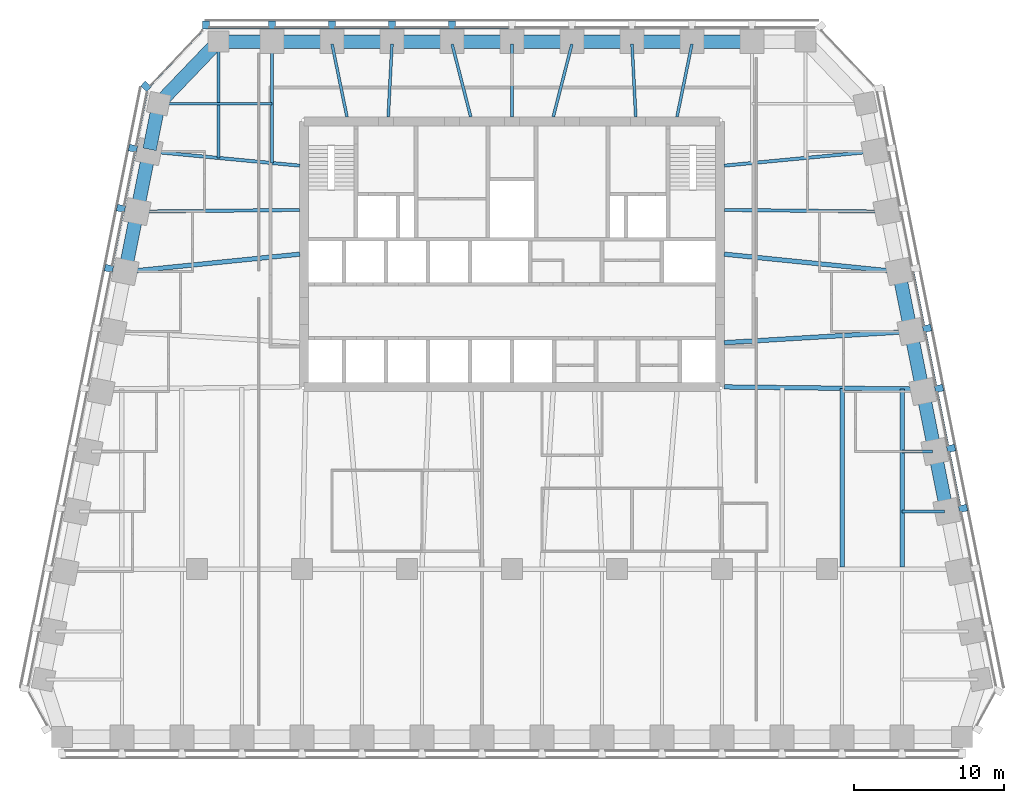
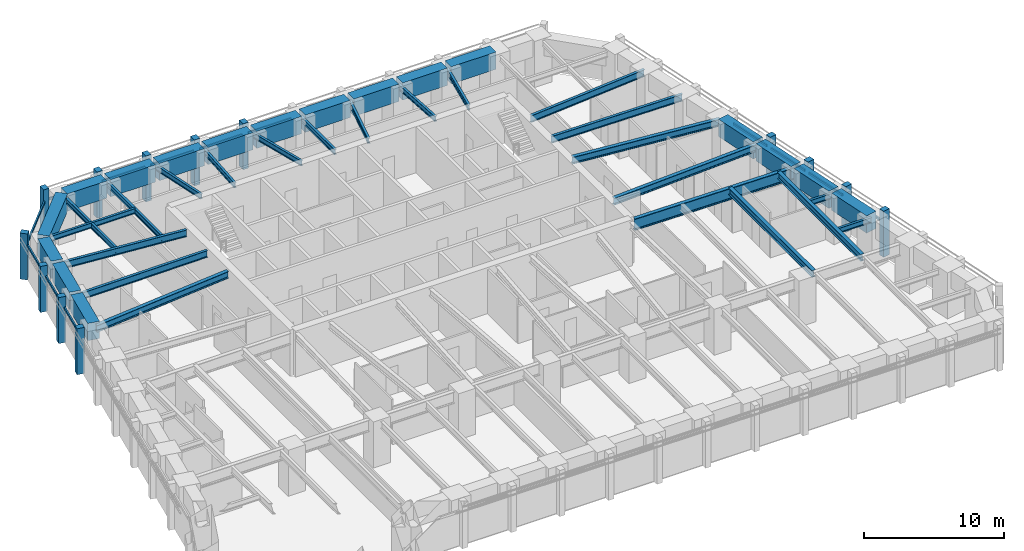
# One storey, part 3 of 10: 39 beams, 26 members, 4 elements without a shape of their own.
"""IFC4 building model written with IfcOpenShell, lengths in metres."""

from ifc_helpers import new_model, si_unit, direction, frame, origin, origin_2d, place, context, subcontext, project, spatial, rectangle, i_section, extrude, material, material_profile, profile_set, type_object, element, aggregate, save


model = new_model("IFC4")

# Units and contexts
model_context = context("Model", 3, precision=1e-05, world=origin(), true_north=direction((0.0, 1.0)))
body_context = subcontext(model_context, "Body", "Model", "MODEL_VIEW")
ifc_project = project(units=[si_unit("LENGTHUNIT", "METRE"), si_unit("AREAUNIT", "SQUARE_METRE"), si_unit("VOLUMEUNIT", "CUBIC_METRE"), si_unit("PLANEANGLEUNIT", "RADIAN"), si_unit("MASSUNIT", "GRAM", prefix="KILO")], contexts=[model_context])

# Site, building, storey
site_placement = place(None, origin())
site = spatial("IfcSite", under=ifc_project, at=site_placement, CompositionType="ELEMENT")
building_placement = place(site_placement, origin())
building = spatial("IfcBuilding", under=site, at=building_placement, Name="Isbrekke Arena Tower", CompositionType="ELEMENT")
storey_placement = place(building_placement, frame((0.0, 0.0, 190.0)))
storey = spatial("IfcBuildingStorey", under=building, at=storey_placement, Name="L43", CompositionType="ELEMENT", Elevation=190.0)

# Beams
ifc_material_1 = material(Name="Steel S355", Category="steel")
ifc_material_profile_1 = material_profile(ifc_material_1, i_section(OverallWidth=0.219970703125, OverallDepth=0.60009765625, WebThickness=0.011962890625, FlangeThickness=0.01904296875, FilletRadius=0.02392578125, at=origin_2d()), Name="IPE 600")
ifc_profile_set_1 = profile_set([ifc_material_profile_1], Name="Steel S355")
beam_type_1 = type_object("IfcBeamType", Name="B1 IPE 600", PredefinedType="BEAM", material=ifc_profile_set_1)
beam_1_placement = place(storey_placement, frame((24.83984375, 17.838134765625, 3.550048828125), z_axis=(-0.999945299061, 0.010459392202, 0.0), x_axis=(-0.010459392202, -0.999945299061, 0.0)))
element("IfcBeam", 1, at=beam_1_placement, inside=storey, type_object=beam_type_1, Name="B1 beam E-E09 L43", PredefinedType="BEAM", context=body_context, shape_type="SweptSolid", body=[
    extrude(i_section(OverallWidth=0.219970703125, OverallDepth=0.60009765625, WebThickness=0.011962890625, FlangeThickness=0.01904296875, FilletRadius=0.02392578125, at=origin_2d()), origin(), (0.0, 0.0, 1.0), 10.6904296875),
])
for number, where, z_axis, x_axis, name in (
    (2, (24.03076171875, 21.837158203125, 3.550048828125), (-0.99553133081, -0.094431823952, 0.0), (0.094431823952, -0.99553133081, 0.0), "B1 beam E-E10 L43"),
    (3, (-24.03076171875, 21.837158203125, 3.550048828125), (0.99553133081, -0.094431823952, 0.0), (0.094431823952, 0.99553133081, 0.0), "B1 beam E-W02 L43"),
):
    element("IfcBeam", number, at=place(storey_placement, frame(where, z_axis=z_axis, x_axis=x_axis)), inside=storey, type_object=beam_type_1, Name=name, PredefinedType="BEAM", context=body_context, shape_type="SweptSolid", body=[
        extrude(i_section(OverallWidth=0.219970703125, OverallDepth=0.60009765625, WebThickness=0.011962890625, FlangeThickness=0.01904296875, FilletRadius=0.02392578125, at=origin_2d()), origin(), (0.0, 0.0, 1.0), 9.92529296875),
    ])
beam_2_placement = place(storey_placement, frame((-24.83984375, 17.838134765625, 3.550048828125), z_axis=(0.999945299061, 0.010459392202, 0.0), x_axis=(-0.010459392202, 0.999945299061, 0.0)))
element("IfcBeam", 4, at=beam_2_placement, inside=storey, type_object=beam_type_1, Name="B1 beam E-W03 L43", PredefinedType="BEAM", context=body_context, shape_type="SweptSolid", body=[
    extrude(i_section(OverallWidth=0.219970703125, OverallDepth=0.60009765625, WebThickness=0.011962890625, FlangeThickness=0.01904296875, FilletRadius=0.02392578125, at=origin_2d()), origin(), (0.0, 0.0, 1.0), 10.6904296875),
])
ifc_material_2 = material(Name="Steel S355", Category="steel")
ifc_material_profile_2 = material_profile(ifc_material_2, i_section(OverallWidth=0.18994140625, OverallDepth=0.449951171875, WebThickness=0.009521484375, FlangeThickness=0.0146484375, FilletRadius=0.02099609375, at=origin_2d()), Name="IPE 450")
ifc_profile_set_2 = profile_set([ifc_material_profile_2], Name="Steel S355")
beam_type_2 = type_object("IfcBeamType", Name="B2 IPE 450", PredefinedType="BEAM", material=ifc_profile_set_2)
beam_3_placement = place(storey_placement, frame((28.841064453125, -2.161865234375, 3.625), z_axis=(-1.0, 0.0, 0.0), x_axis=(0.0, -1.0, 0.0)))
element("IfcBeam", 5, at=beam_3_placement, inside=storey, type_object=beam_type_2, Name="B2 beam E-E04 L43", PredefinedType="BEAM", context=body_context, shape_type="SweptSolid", body=[
    extrude(i_section(OverallWidth=0.18994140625, OverallDepth=0.449951171875, WebThickness=0.009521484375, FlangeThickness=0.0146484375, FilletRadius=0.02099609375, at=origin_2d()), origin(), (0.0, 0.0, 1.0), 2.841064453125),
])
beam_4_placement = place(storey_placement, frame((28.041015625, 1.838134765625, 3.625), z_axis=(-1.0, 0.0, 0.0), x_axis=(0.0, -1.0, 0.0)))
element("IfcBeam", 6, at=beam_4_placement, inside=storey, type_object=beam_type_2, Name="B2 beam E-E05 L43", PredefinedType="BEAM", context=body_context, shape_type="SweptSolid", body=[
    extrude(i_section(OverallWidth=0.18994140625, OverallDepth=0.449951171875, WebThickness=0.009521484375, FlangeThickness=0.0146484375, FilletRadius=0.02099609375, at=origin_2d()), origin(), (0.0, 0.0, 1.0), 2.041015625),
])
beam_5_placement = place(storey_placement, frame((-23.40283203125, 25.029296875, 3.625), z_axis=(1.0, 0.0, 0.0), x_axis=(0.0, 1.0, 0.0)))
element("IfcBeam", 7, at=beam_5_placement, inside=storey, type_object=beam_type_2, Name="B2 beam E-W01 L43", PredefinedType="BEAM", context=body_context, shape_type="SweptSolid", body=[
    extrude(i_section(OverallWidth=0.18994140625, OverallDepth=0.449951171875, WebThickness=0.009521484375, FlangeThickness=0.0146484375, FilletRadius=0.02099609375, at=origin_2d()), origin(), (0.0, 0.0, 1.0), 7.40283203125),
])
ifc_material_3 = material(Name="Steel S355", Category="steel")
ifc_material_profile_3 = material_profile(ifc_material_3, i_section(OverallWidth=0.18994140625, OverallDepth=0.449951171875, WebThickness=0.009521484375, FlangeThickness=0.0146484375, FilletRadius=0.02099609375, at=origin_2d()), Name="IPE 450")
ifc_profile_set_3 = profile_set([ifc_material_profile_3], Name="Steel S355")
beam_type_3 = type_object("IfcBeamType", Name="B3 IPE 450", PredefinedType="BEAM", material=ifc_profile_set_3)
beam_6_placement = place(storey_placement, frame((-16.0, 29.02490234375, 3.625), z_axis=(0.0, -1.0, 0.0), x_axis=(1.0, 0.0, 0.0)))
element("IfcBeam", 8, at=beam_6_placement, inside=storey, type_object=beam_type_3, Name="B3 beam N-N10 L43", PredefinedType="BEAM", context=body_context, shape_type="SweptSolid", body=[
    extrude(i_section(OverallWidth=0.18994140625, OverallDepth=0.449951171875, WebThickness=0.009521484375, FlangeThickness=0.0146484375, FilletRadius=0.02099609375, at=origin_2d()), origin(), (0.0, 0.0, 1.0), 7.949462890625),
])
beam_7_placement = place(storey_placement, frame((-19.574951171875, 29.02490234375, 3.625), z_axis=(0.0, -1.0, 0.0), x_axis=(1.0, 0.0, 0.0)))
element("IfcBeam", 9, at=beam_7_placement, inside=storey, type_object=beam_type_3, Name="B3 beam N-N11 L43", PredefinedType="BEAM", context=body_context, shape_type="SweptSolid", body=[
    extrude(i_section(OverallWidth=0.18994140625, OverallDepth=0.449951171875, WebThickness=0.009521484375, FlangeThickness=0.0146484375, FilletRadius=0.02099609375, at=origin_2d()), origin(), (0.0, 0.0, 1.0), 7.6103515625),
])
beam_8_placement = place(storey_placement, frame((11.99609375, 29.00634765625, 3.625), z_axis=(-0.200924755878, -0.979606677435, 0.0), x_axis=(0.979606677435, -0.200924755878, 0.0)))
element("IfcBeam", 10, at=beam_8_placement, inside=storey, type_object=beam_type_3, Name="B3 beam N-N03 L43", PredefinedType="BEAM", context=body_context, shape_type="SweptSolid", body=[
    extrude(i_section(OverallWidth=0.18994140625, OverallDepth=0.449951171875, WebThickness=0.009521484375, FlangeThickness=0.0146484375, FilletRadius=0.02099609375, at=origin_2d()), origin(), (0.0, 0.0, 1.0), 4.95751953125),
])
beam_9_placement = place(storey_placement, frame((8.000244140625, 29.02001953125, 3.625), z_axis=(0.051216032312, -0.998687597817, 0.0), x_axis=(0.998687597817, 0.051216032312, 0.0)))
element("IfcBeam", 11, at=beam_9_placement, inside=storey, type_object=beam_type_3, Name="B3 beam N-N04 L43", PredefinedType="BEAM", context=body_context, shape_type="SweptSolid", body=[
    extrude(i_section(OverallWidth=0.18994140625, OverallDepth=0.449951171875, WebThickness=0.009521484375, FlangeThickness=0.0146484375, FilletRadius=0.02099609375, at=origin_2d()), origin(), (0.0, 0.0, 1.0), 4.87646484375),
])
beam_10_placement = place(storey_placement, frame((3.994140625, 29.002197265625, 3.625), z_axis=(-0.248368314686, -0.968665670012, 0.0), x_axis=(0.968665670012, -0.248368314686, 0.0)))
element("IfcBeam", 12, at=beam_10_placement, inside=storey, type_object=beam_type_3, Name="B3 beam N-N05 L43", PredefinedType="BEAM", context=body_context, shape_type="SweptSolid", body=[
    extrude(i_section(OverallWidth=0.18994140625, OverallDepth=0.449951171875, WebThickness=0.009521484375, FlangeThickness=0.0146484375, FilletRadius=0.02099609375, at=origin_2d()), origin(), (0.0, 0.0, 1.0), 5.00927734375),
])
beam_11_placement = place(storey_placement, frame((0.0, 29.02490234375, 3.625), z_axis=(0.0, -1.0, 0.0), x_axis=(1.0, 0.0, 0.0)))
element("IfcBeam", 13, at=beam_11_placement, inside=storey, type_object=beam_type_3, Name="B3 beam N-N06 L43", PredefinedType="BEAM", context=body_context, shape_type="SweptSolid", body=[
    extrude(i_section(OverallWidth=0.18994140625, OverallDepth=0.449951171875, WebThickness=0.009521484375, FlangeThickness=0.0146484375, FilletRadius=0.02099609375, at=origin_2d()), origin(), (0.0, 0.0, 1.0), 4.875),
])
beam_12_placement = place(storey_placement, frame((-3.994140625, 29.002197265625, 3.625), z_axis=(0.248368314686, -0.968665670012, 0.0), x_axis=(0.968665670012, 0.248368314686, 0.0)))
element("IfcBeam", 14, at=beam_12_placement, inside=storey, type_object=beam_type_3, Name="B3 beam N-N07 L43", PredefinedType="BEAM", context=body_context, shape_type="SweptSolid", body=[
    extrude(i_section(OverallWidth=0.18994140625, OverallDepth=0.449951171875, WebThickness=0.009521484375, FlangeThickness=0.0146484375, FilletRadius=0.02099609375, at=origin_2d()), origin(), (0.0, 0.0, 1.0), 5.00927734375),
])
beam_13_placement = place(storey_placement, frame((-8.000244140625, 29.02001953125, 3.625), z_axis=(-0.051216032312, -0.998687597817, 0.0), x_axis=(0.998687597817, -0.051216032312, 0.0)))
element("IfcBeam", 15, at=beam_13_placement, inside=storey, type_object=beam_type_3, Name="B3 beam N-N08 L43", PredefinedType="BEAM", context=body_context, shape_type="SweptSolid", body=[
    extrude(i_section(OverallWidth=0.18994140625, OverallDepth=0.449951171875, WebThickness=0.009521484375, FlangeThickness=0.0146484375, FilletRadius=0.02099609375, at=origin_2d()), origin(), (0.0, 0.0, 1.0), 4.87646484375),
])
beam_14_placement = place(storey_placement, frame((-11.99609375, 29.00634765625, 3.625), z_axis=(0.200924755878, -0.979606677435, 0.0), x_axis=(0.979606677435, 0.200924755878, 0.0)))
element("IfcBeam", 16, at=beam_14_placement, inside=storey, type_object=beam_type_3, Name="B3 beam N-N09 L43", PredefinedType="BEAM", context=body_context, shape_type="SweptSolid", body=[
    extrude(i_section(OverallWidth=0.18994140625, OverallDepth=0.449951171875, WebThickness=0.009521484375, FlangeThickness=0.0146484375, FilletRadius=0.02099609375, at=origin_2d()), origin(), (0.0, 0.0, 1.0), 4.95751953125),
])
ifc_material_4 = material(Name="Steel S355", Category="steel")
ifc_material_profile_4 = material_profile(ifc_material_4, i_section(OverallWidth=0.300048828125, OverallDepth=0.60009765625, WebThickness=0.015380859375, FlangeThickness=0.030029296875, FilletRadius=0.027099609375, at=origin_2d()), Name="HEB 600")
ifc_profile_set_4 = profile_set([ifc_material_profile_4], Name="Steel S355")
beam_type_4 = type_object("IfcBeamType", Name="B7 HEB 600", PredefinedType="BEAM", material=ifc_profile_set_4)
beam_15_placement = place(storey_placement, frame((22.0, -5.84912109375, 3.550048828125), z_axis=(0.0, 1.0, 0.0), x_axis=(-1.0, 0.0, 0.0)))
element("IfcBeam", 17, at=beam_15_placement, inside=storey, type_object=beam_type_4, Name="B7 beam C-M13 L43", PredefinedType="BEAM", context=body_context, shape_type="SweptSolid", body=[
    extrude(i_section(OverallWidth=0.300048828125, OverallDepth=0.60009765625, WebThickness=0.015380859375, FlangeThickness=0.030029296875, FilletRadius=0.027099609375, at=origin_2d()), origin(), (0.0, 0.0, 1.0), 11.91015625),
])
beam_16_placement = place(storey_placement, frame((26.0, -5.84912109375, 3.550048828125), z_axis=(0.0, 1.0, 0.0), x_axis=(-1.0, 0.0, 0.0)))
element("IfcBeam", 18, at=beam_16_placement, inside=storey, type_object=beam_type_4, Name="B7 beam C-M14 L43", PredefinedType="BEAM", context=body_context, shape_type="SweptSolid", body=[
    extrude(i_section(OverallWidth=0.300048828125, OverallDepth=0.60009765625, WebThickness=0.015380859375, FlangeThickness=0.030029296875, FilletRadius=0.027099609375, at=origin_2d()), origin(), (0.0, 0.0, 1.0), 11.864990234375),
])
beam_17_placement = place(storey_placement, frame((26.43212890625, 9.837646484375, 3.550048828125), z_axis=(-0.998201854902, -0.059942112659, 0.0), x_axis=(0.059942112659, -0.998201854902, 0.0)))
element("IfcBeam", 19, at=beam_17_placement, inside=storey, type_object=beam_type_4, Name="B7 beam E-E07 L43", PredefinedType="BEAM", context=body_context, shape_type="SweptSolid", body=[
    extrude(i_section(OverallWidth=0.300048828125, OverallDepth=0.60009765625, WebThickness=0.015380859375, FlangeThickness=0.030029296875, FilletRadius=0.027099609375, at=origin_2d()), origin(), (0.0, 0.0, 1.0), 12.304443359375),
])
for number, where, z_axis, x_axis, name in (
    (20, (25.6259765625, 13.83984375, 3.550048828125), (-0.994928891111, 0.100580821396, 0.0), (-0.100580821396, -0.994928891111, 0.0), "B7 beam E-E08 L43"),
    (21, (-25.6259765625, 13.83984375, 3.550048828125), (0.994928891111, 0.100580821396, 0.0), (-0.100580821396, 0.994928891111, 0.0), "B7 beam E-W04 L43"),
):
    element("IfcBeam", number, at=place(storey_placement, frame(where, z_axis=z_axis, x_axis=x_axis)), inside=storey, type_object=beam_type_4, Name=name, PredefinedType="BEAM", context=body_context, shape_type="SweptSolid", body=[
        extrude(i_section(OverallWidth=0.300048828125, OverallDepth=0.60009765625, WebThickness=0.015380859375, FlangeThickness=0.030029296875, FilletRadius=0.027099609375, at=origin_2d()), origin(), (0.0, 0.0, 1.0), 11.53466796875),
    ])

# Curtain wall, members
ifc_material_5 = material(Name="Glazed aluminium curtain wall", Category="aluminium")
curtain_wall_type = type_object("IfcCurtainWallType", Name="CWH TOWER CURTAIN WALL HIGH ZONE", PredefinedType="USERDEFINED", material=ifc_material_5)
curtain_wall_1_placement = place(storey_placement, origin())
curtain_wall_1 = element("IfcCurtainWall", 22, at=curtain_wall_1_placement, inside=storey, type_object=curtain_wall_type, Name="CWH curtain wall L43-E", ObjectType="TOWER CURTAIN WALL HIGH ZONE", PredefinedType="USERDEFINED")
ifc_material_6 = material(Name="Aluminium mullion, pale brick slip cladding", Category="masonry")
ifc_material_profile_5 = material_profile(ifc_material_6, rectangle(XDim=0.449951171875, YDim=0.550048828125, at=origin_2d()), Name="PIER 450X550")
ifc_profile_set_5 = profile_set([ifc_material_profile_5], Name="Aluminium mullion, pale brick slip cladding")
member_type_1 = type_object("IfcMemberType", Name="CWH-M PIER MULLION 450 x 550", PredefinedType="MULLION", material=ifc_profile_set_5)
member_1_placement = place(storey_placement, frame((30.069580078125, -1.946044921875, 0.0), z_axis=(0.0, 0.0, 1.0), x_axis=(-0.196116135138, 0.980580675691, 0.0)))
member_1 = element("IfcMember", 23, at=member_1_placement, type_object=member_type_1, Name="CWH-M mullion 3", PredefinedType="MULLION", context=body_context, shape_type="SweptSolid", body=[
    extrude(rectangle(XDim=0.449951171875, YDim=0.550048828125, at=origin_2d()), origin(), (0.0, 0.0, 1.0), 4.0),
])
member_2_placement = place(storey_placement, frame((29.269775390625, 2.053955078125, 0.0), z_axis=(0.0, 0.0, 1.0), x_axis=(-0.196116135138, 0.980580675691, 0.0)))
member_2 = element("IfcMember", 24, at=member_2_placement, type_object=member_type_1, Name="CWH-M mullion 4", PredefinedType="MULLION", context=body_context, shape_type="SweptSolid", body=[
    extrude(rectangle(XDim=0.449951171875, YDim=0.550048828125, at=origin_2d()), origin(), (0.0, 0.0, 1.0), 4.0),
])
member_3_placement = place(storey_placement, frame((28.4697265625, 6.053955078125, 0.0), z_axis=(0.0, 0.0, 1.0), x_axis=(-0.196116135138, 0.980580675691, 0.0)))
member_3 = element("IfcMember", 25, at=member_3_placement, type_object=member_type_1, Name="CWH-M mullion 5", PredefinedType="MULLION", context=body_context, shape_type="SweptSolid", body=[
    extrude(rectangle(XDim=0.449951171875, YDim=0.550048828125, at=origin_2d()), origin(), (0.0, 0.0, 1.0), 4.0),
])
member_4_placement = place(storey_placement, frame((27.669677734375, 10.053955078125, 0.0), z_axis=(0.0, 0.0, 1.0), x_axis=(-0.196116135138, 0.980580675691, 0.0)))
member_4 = element("IfcMember", 26, at=member_4_placement, type_object=member_type_1, Name="CWH-M mullion 6", PredefinedType="MULLION", context=body_context, shape_type="SweptSolid", body=[
    extrude(rectangle(XDim=0.449951171875, YDim=0.550048828125, at=origin_2d()), origin(), (0.0, 0.0, 1.0), 4.0),
])

curtain_wall_2_placement = place(storey_placement, origin())
curtain_wall_2 = element("IfcCurtainWall", 27, at=curtain_wall_2_placement, inside=storey, type_object=curtain_wall_type, Name="CWH curtain wall L43-N", ObjectType="TOWER CURTAIN WALL HIGH ZONE", PredefinedType="USERDEFINED")
member_5_placement = place(storey_placement, frame((-4.0, 30.27490234375, 0.0), z_axis=(0.0, 0.0, 1.0), x_axis=(-1.0, 0.0, 0.0)))
member_5 = element("IfcMember", 28, at=member_5_placement, type_object=member_type_1, Name="CWH-M mullion 6", PredefinedType="MULLION", context=body_context, shape_type="SweptSolid", body=[
    extrude(rectangle(XDim=0.449951171875, YDim=0.550048828125, at=origin_2d()), origin(), (0.0, 0.0, 1.0), 4.0),
])
member_6_placement = place(storey_placement, frame((-8.0, 30.27490234375, 0.0), z_axis=(0.0, 0.0, 1.0), x_axis=(-1.0, 0.0, 0.0)))
member_6 = element("IfcMember", 29, at=member_6_placement, type_object=member_type_1, Name="CWH-M mullion 7", PredefinedType="MULLION", context=body_context, shape_type="SweptSolid", body=[
    extrude(rectangle(XDim=0.449951171875, YDim=0.550048828125, at=origin_2d()), origin(), (0.0, 0.0, 1.0), 4.0),
])
member_7_placement = place(storey_placement, frame((-12.0, 30.27490234375, 0.0), z_axis=(0.0, 0.0, 1.0), x_axis=(-1.0, 0.0, 0.0)))
member_7 = element("IfcMember", 30, at=member_7_placement, type_object=member_type_1, Name="CWH-M mullion 8", PredefinedType="MULLION", context=body_context, shape_type="SweptSolid", body=[
    extrude(rectangle(XDim=0.449951171875, YDim=0.550048828125, at=origin_2d()), origin(), (0.0, 0.0, 1.0), 4.0),
])
member_8_placement = place(storey_placement, frame((-16.0, 30.27490234375, 0.0), z_axis=(0.0, 0.0, 1.0), x_axis=(-1.0, 0.0, 0.0)))
member_8 = element("IfcMember", 31, at=member_8_placement, type_object=member_type_1, Name="CWH-M mullion 9", PredefinedType="MULLION", context=body_context, shape_type="SweptSolid", body=[
    extrude(rectangle(XDim=0.449951171875, YDim=0.550048828125, at=origin_2d()), origin(), (0.0, 0.0, 1.0), 4.0),
])
member_9_placement = place(storey_placement, frame((-20.39990234375, 30.27490234375, 0.0), z_axis=(0.0, 0.0, 1.0), x_axis=(-1.0, 0.0, 0.0)))
member_9 = element("IfcMember", 32, at=member_9_placement, type_object=member_type_1, Name="CWH-M mullion 10", PredefinedType="MULLION", context=body_context, shape_type="SweptSolid", body=[
    extrude(rectangle(XDim=0.449951171875, YDim=0.550048828125, at=origin_2d()), origin(), (0.0, 0.0, 1.0), 4.0),
])

# Curtain wall, member
curtain_wall_3_placement = place(storey_placement, origin())
curtain_wall_3 = element("IfcCurtainWall", 33, at=curtain_wall_3_placement, inside=storey, type_object=curtain_wall_type, Name="CWH curtain wall L43-NW", ObjectType="TOWER CURTAIN WALL HIGH ZONE", PredefinedType="USERDEFINED")
member_10_placement = place(storey_placement, frame((-24.3994140625, 26.189453125, 0.0), z_axis=(0.0, 0.0, 1.0), x_axis=(-0.68874946192, -0.72499943359, 0.0)))
member_10 = element("IfcMember", 34, at=member_10_placement, type_object=member_type_1, Name="CWH-M mullion 1", PredefinedType="MULLION", context=body_context, shape_type="SweptSolid", body=[
    extrude(rectangle(XDim=0.449951171875, YDim=0.550048828125, at=origin_2d()), origin(), (0.0, 0.0, 1.0), 4.0),
])

# Curtain wall, members
curtain_wall_4_placement = place(storey_placement, origin())
curtain_wall_4 = element("IfcCurtainWall", 35, at=curtain_wall_4_placement, inside=storey, type_object=curtain_wall_type, Name="CWH curtain wall L43-W", ObjectType="TOWER CURTAIN WALL HIGH ZONE", PredefinedType="USERDEFINED")
member_11_placement = place(storey_placement, frame((-25.269775390625, 22.053955078125, 0.0), z_axis=(0.0, 0.0, 1.0), x_axis=(-0.196116135138, -0.980580675691, 0.0)))
member_11 = element("IfcMember", 36, at=member_11_placement, type_object=member_type_1, Name="CWH-M mullion 1", PredefinedType="MULLION", context=body_context, shape_type="SweptSolid", body=[
    extrude(rectangle(XDim=0.449951171875, YDim=0.550048828125, at=origin_2d()), origin(), (0.0, 0.0, 1.0), 4.0),
])
member_12_placement = place(storey_placement, frame((-26.069580078125, 18.053955078125, 0.0), z_axis=(0.0, 0.0, 1.0), x_axis=(-0.196116135138, -0.980580675691, 0.0)))
member_12 = element("IfcMember", 37, at=member_12_placement, type_object=member_type_1, Name="CWH-M mullion 2", PredefinedType="MULLION", context=body_context, shape_type="SweptSolid", body=[
    extrude(rectangle(XDim=0.449951171875, YDim=0.550048828125, at=origin_2d()), origin(), (0.0, 0.0, 1.0), 4.0),
])
member_13_placement = place(storey_placement, frame((-26.86962890625, 14.053955078125, 0.0), z_axis=(0.0, 0.0, 1.0), x_axis=(-0.196116135138, -0.980580675691, 0.0)))
member_13 = element("IfcMember", 38, at=member_13_placement, type_object=member_type_1, Name="CWH-M mullion 3", PredefinedType="MULLION", context=body_context, shape_type="SweptSolid", body=[
    extrude(rectangle(XDim=0.449951171875, YDim=0.550048828125, at=origin_2d()), origin(), (0.0, 0.0, 1.0), 4.0),
])

# Member
ifc_material_7 = material(Name="Aluminium transom", Category="aluminium")
ifc_material_profile_6 = material_profile(ifc_material_7, rectangle(XDim=0.1201171875, YDim=0.199951171875, at=origin_2d()), Name="TRANSOM 120X200")
ifc_profile_set_6 = profile_set([ifc_material_profile_6], Name="Aluminium transom")
member_type_2 = type_object("IfcMemberType", Name="CWH-T TRANSOM 120 x 200", PredefinedType="USERDEFINED", material=ifc_profile_set_6)
member_14_placement = place(storey_placement, frame((29.85400390625, -1.759765625, 3.0), z_axis=(-0.196154943734, 0.980572913173, 0.0), x_axis=(-0.980572913173, -0.196154943734, 0.0)))
member_14 = element("IfcMember", 39, at=member_14_placement, type_object=member_type_2, Name="CWH-T transom 4", ObjectType="TRANSOM", PredefinedType="USERDEFINED", context=body_context, shape_type="SweptSolid", body=[
    extrude(rectangle(XDim=0.1201171875, YDim=0.199951171875, at=origin_2d()), origin(), (0.0, 0.0, 1.0), 3.62939453125),
])

member_15_placement = place(storey_placement, frame((29.053955078125, 2.240234375, 3.0), z_axis=(-0.196090262229, 0.980585849918, 0.0), x_axis=(-0.980585849918, -0.196090262229, 0.0)))
member_15 = element("IfcMember", 40, at=member_15_placement, type_object=member_type_2, Name="CWH-T transom 5", ObjectType="TRANSOM", PredefinedType="USERDEFINED", context=body_context, shape_type="SweptSolid", body=[
    extrude(rectangle(XDim=0.1201171875, YDim=0.199951171875, at=origin_2d()), origin(), (0.0, 0.0, 1.0), 3.62939453125),
])

member_16_placement = place(storey_placement, frame((28.25390625, 6.240234375, 3.0), z_axis=(-0.196090262229, 0.980585849918, 0.0), x_axis=(-0.980585849918, -0.196090262229, 0.0)))
member_16 = element("IfcMember", 41, at=member_16_placement, type_object=member_type_2, Name="CWH-T transom 6", ObjectType="TRANSOM", PredefinedType="USERDEFINED", context=body_context, shape_type="SweptSolid", body=[
    extrude(rectangle(XDim=0.1201171875, YDim=0.199951171875, at=origin_2d()), origin(), (0.0, 0.0, 1.0), 3.62939453125),
])

member_17_placement = place(storey_placement, frame((27.453857421875, 10.240234375, 3.0), z_axis=(-0.196090262229, 0.980585849918, 0.0), x_axis=(-0.980585849918, -0.196090262229, 0.0)))
member_17 = element("IfcMember", 42, at=member_17_placement, type_object=member_type_2, Name="CWH-T transom 7", ObjectType="TRANSOM", PredefinedType="USERDEFINED", context=body_context, shape_type="SweptSolid", body=[
    extrude(rectangle(XDim=0.1201171875, YDim=0.199951171875, at=origin_2d()), origin(), (0.0, 0.0, 1.0), 3.62939453125),
])

aggregate(curtain_wall_1, [member_1, member_2, member_3, member_4, member_14, member_15, member_16, member_17])

member_18_placement = place(storey_placement, frame((-0.22509765625, 30.10009765625, 3.0), z_axis=(-1.0, 0.0, 0.0), x_axis=(0.0, -1.0, 0.0)))
member_18 = element("IfcMember", 43, at=member_18_placement, type_object=member_type_2, Name="CWH-T transom 6", ObjectType="TRANSOM", PredefinedType="USERDEFINED", context=body_context, shape_type="SweptSolid", body=[
    extrude(rectangle(XDim=0.1201171875, YDim=0.199951171875, at=origin_2d()), origin(), (0.0, 0.0, 1.0), 3.5498046875),
])

member_19_placement = place(storey_placement, frame((-4.22509765625, 30.10009765625, 3.0), z_axis=(-1.0, 0.0, 0.0), x_axis=(0.0, -1.0, 0.0)))
member_19 = element("IfcMember", 44, at=member_19_placement, type_object=member_type_2, Name="CWH-T transom 7", ObjectType="TRANSOM", PredefinedType="USERDEFINED", context=body_context, shape_type="SweptSolid", body=[
    extrude(rectangle(XDim=0.1201171875, YDim=0.199951171875, at=origin_2d()), origin(), (0.0, 0.0, 1.0), 3.5498046875),
])

member_20_placement = place(storey_placement, frame((-8.22509765625, 30.10009765625, 3.0), z_axis=(-1.0, 0.0, 0.0), x_axis=(0.0, -1.0, 0.0)))
member_20 = element("IfcMember", 45, at=member_20_placement, type_object=member_type_2, Name="CWH-T transom 8", ObjectType="TRANSOM", PredefinedType="USERDEFINED", context=body_context, shape_type="SweptSolid", body=[
    extrude(rectangle(XDim=0.1201171875, YDim=0.199951171875, at=origin_2d()), origin(), (0.0, 0.0, 1.0), 3.5498046875),
])

member_21_placement = place(storey_placement, frame((-12.22509765625, 30.10009765625, 3.0), z_axis=(-1.0, 0.0, 0.0), x_axis=(0.0, -1.0, 0.0)))
member_21 = element("IfcMember", 46, at=member_21_placement, type_object=member_type_2, Name="CWH-T transom 9", ObjectType="TRANSOM", PredefinedType="USERDEFINED", context=body_context, shape_type="SweptSolid", body=[
    extrude(rectangle(XDim=0.1201171875, YDim=0.199951171875, at=origin_2d()), origin(), (0.0, 0.0, 1.0), 3.5498046875),
])

member_22_placement = place(storey_placement, frame((-16.22509765625, 30.10009765625, 3.0), z_axis=(-1.0, 0.0, 0.0), x_axis=(0.0, -1.0, 0.0)))
member_22 = element("IfcMember", 47, at=member_22_placement, type_object=member_type_2, Name="CWH-T transom 10", ObjectType="TRANSOM", PredefinedType="USERDEFINED", context=body_context, shape_type="SweptSolid", body=[
    extrude(rectangle(XDim=0.1201171875, YDim=0.199951171875, at=origin_2d()), origin(), (0.0, 0.0, 1.0), 3.949951171875),
])

aggregate(curtain_wall_2, [member_5, member_6, member_7, member_8, member_9, member_18, member_19, member_20, member_21, member_22])

member_23_placement = place(storey_placement, frame((-20.62744140625, 29.90576171875, 3.0), z_axis=(-0.688734266994, -0.725013868466, 0.0), x_axis=(0.725013868466, -0.688734266994, 0.0)))
member_23 = element("IfcMember", 48, at=member_23_placement, type_object=member_type_2, Name="CWH-T transom 1", ObjectType="TRANSOM", PredefinedType="USERDEFINED", context=body_context, shape_type="SweptSolid", body=[
    extrude(rectangle(XDim=0.1201171875, YDim=0.199951171875, at=origin_2d()), origin(), (0.0, 0.0, 1.0), 5.067138671875),
])

aggregate(curtain_wall_3, [member_10, member_23])

member_24_placement = place(storey_placement, frame((-24.34228515625, 25.799072265625, 3.0), z_axis=(-0.196090262229, -0.980585849918, 0.0), x_axis=(0.980585849918, -0.196090262229, 0.0)))
member_24 = element("IfcMember", 49, at=member_24_placement, type_object=member_type_2, Name="CWH-T transom 1", ObjectType="TRANSOM", PredefinedType="USERDEFINED", context=body_context, shape_type="SweptSolid", body=[
    extrude(rectangle(XDim=0.1201171875, YDim=0.199951171875, at=origin_2d()), origin(), (0.0, 0.0, 1.0), 3.62939453125),
])

member_25_placement = place(storey_placement, frame((-25.14208984375, 21.799072265625, 3.0), z_axis=(-0.196154943734, -0.980572913173, 0.0), x_axis=(0.980572913173, -0.196154943734, 0.0)))
member_25 = element("IfcMember", 50, at=member_25_placement, type_object=member_type_2, Name="CWH-T transom 2", ObjectType="TRANSOM", PredefinedType="USERDEFINED", context=body_context, shape_type="SweptSolid", body=[
    extrude(rectangle(XDim=0.1201171875, YDim=0.199951171875, at=origin_2d()), origin(), (0.0, 0.0, 1.0), 3.62939453125),
])

member_26_placement = place(storey_placement, frame((-25.942138671875, 17.799072265625, 3.0), z_axis=(-0.196154943734, -0.980572913173, 0.0), x_axis=(0.980572913173, -0.196154943734, 0.0)))
member_26 = element("IfcMember", 51, at=member_26_placement, type_object=member_type_2, Name="CWH-T transom 3", ObjectType="TRANSOM", PredefinedType="USERDEFINED", context=body_context, shape_type="SweptSolid", body=[
    extrude(rectangle(XDim=0.1201171875, YDim=0.199951171875, at=origin_2d()), origin(), (0.0, 0.0, 1.0), 3.62939453125),
])

aggregate(curtain_wall_4, [member_11, member_12, member_13, member_24, member_25, member_26])

# Beams
ifc_material_8 = material(Name="Steel S355", Category="steel")
ifc_material_profile_7 = material_profile(ifc_material_8, i_section(OverallWidth=0.302001953125, OverallDepth=1.008056640625, WebThickness=0.02099609375, FlangeThickness=0.0400390625, FilletRadius=0.030029296875, at=origin_2d()), Name="HEM 1000")
ifc_profile_set_7 = profile_set([ifc_material_profile_7], Name="Steel S355")
beam_type_5 = type_object("IfcBeamType", Name="G2 HEM 1000", PredefinedType="BEAM", material=ifc_profile_set_7)
beam_18_placement = place(storey_placement, frame((14.14990234375, 6.14990234375, 3.345947265625), z_axis=(0.999935908299, -0.011321629528, 0.0), x_axis=(0.011321629528, 0.999935908299, 0.0)))
element("IfcBeam", 52, at=beam_18_placement, inside=storey, type_object=beam_type_5, Name="G2 beam G2-E L43", PredefinedType="BEAM", context=body_context, shape_type="SweptSolid", body=[
    extrude(i_section(OverallWidth=0.302001953125, OverallDepth=1.008056640625, WebThickness=0.02099609375, FlangeThickness=0.0400390625, FilletRadius=0.030029296875, at=origin_2d()), origin(), (0.0, 0.0, 1.0), 13.240234375),
])
ifc_material_9 = material(Name="Concrete B65 (C65/80)", Category="concrete")
ifc_material_profile_8 = material_profile(ifc_material_9, rectangle(XDim=0.89990234375, YDim=1.5, at=origin_2d()), Name="RC 900x1500")
ifc_profile_set_8 = profile_set([ifc_material_profile_8], Name="Concrete B65 (C65/80)")
beam_type_6 = type_object("IfcBeamType", Name="SB3 RC 900 x 1500", PredefinedType="SPANDREL", material=ifc_profile_set_8)
for number, where, z_axis, x_axis, name in (
    (53, (28.961669921875, -2.0146484375, 3.25), (-0.196128558387, 0.980578190959, 0.0), (-0.980578190959, -0.196128558387, 0.0), "SB3 spandrel E04-E05 L43"),
    (54, (28.16162109375, 1.9853515625, 3.25), (-0.196128558387, 0.980578190959, 0.0), (-0.980578190959, -0.196128558387, 0.0), "SB3 spandrel E05-E06 L43"),
    (55, (27.361572265625, 5.9853515625, 3.25), (-0.196128558387, 0.980578190959, 0.0), (-0.980578190959, -0.196128558387, 0.0), "SB3 spandrel E06-E07 L43"),
):
    element("IfcBeam", number, at=place(storey_placement, frame(where, z_axis=z_axis, x_axis=x_axis)), inside=storey, type_object=beam_type_6, Name=name, PredefinedType="SPANDREL", context=body_context, shape_type="SweptSolid", body=[
        extrude(rectangle(XDim=0.89990234375, YDim=1.5, at=origin_2d()), origin(), (0.0, 0.0, 1.0), 3.779296875),
    ])
beam_19_placement = place(storey_placement, frame((26.5615234375, 9.9853515625, 3.25), z_axis=(-0.1960664412, 0.980590613169, 0.0), x_axis=(-0.980590613169, -0.1960664412, 0.0)))
element("IfcBeam", 56, at=beam_19_placement, inside=storey, type_object=beam_type_6, Name="SB3 spandrel E07-E08 L43", PredefinedType="SPANDREL", context=body_context, shape_type="SweptSolid", body=[
    extrude(rectangle(XDim=0.89990234375, YDim=1.5, at=origin_2d()), origin(), (0.0, 0.0, 1.0), 3.779052734375),
])
for number, where, z_axis, x_axis, name in (
    (57, (15.85009765625, 29.175048828125, 3.25), (-1.0, 0.0, 0.0), (0.0, -1.0, 0.0), "SB3 spandrel N02-N03 L43"),
    (58, (11.85009765625, 29.175048828125, 3.25), (-1.0, 0.0, 0.0), (0.0, -1.0, 0.0), "SB3 spandrel N03-N04 L43"),
    (59, (7.85009765625, 29.175048828125, 3.25), (-1.0, 0.0, 0.0), (0.0, -1.0, 0.0), "SB3 spandrel N04-N05 L43"),
    (60, (3.85009765625, 29.175048828125, 3.25), (-1.0, 0.0, 0.0), (0.0, -1.0, 0.0), "SB3 spandrel N05-N06 L43"),
    (61, (-0.14990234375, 29.175048828125, 3.25), (-1.0, 0.0, 0.0), (0.0, -1.0, 0.0), "SB3 spandrel N06-N07 L43"),
    (62, (-4.14990234375, 29.175048828125, 3.25), (-1.0, 0.0, 0.0), (0.0, -1.0, 0.0), "SB3 spandrel N07-N08 L43"),
    (63, (-8.14990234375, 29.175048828125, 3.25), (-1.0, 0.0, 0.0), (0.0, -1.0, 0.0), "SB3 spandrel N08-N09 L43"),
    (64, (-12.14990234375, 29.175048828125, 3.25), (-1.0, 0.0, 0.0), (0.0, -1.0, 0.0), "SB3 spandrel N09-N10 L43"),
):
    element("IfcBeam", number, at=place(storey_placement, frame(where, z_axis=z_axis, x_axis=x_axis)), inside=storey, type_object=beam_type_6, Name=name, PredefinedType="SPANDREL", context=body_context, shape_type="SweptSolid", body=[
        extrude(rectangle(XDim=0.89990234375, YDim=1.5, at=origin_2d()), origin(), (0.0, 0.0, 1.0), 3.7001953125),
    ])
beam_20_placement = place(storey_placement, frame((-16.14990234375, 29.175048828125, 3.25), z_axis=(-1.0, 0.0, 0.0), x_axis=(0.0, -1.0, 0.0)))
element("IfcBeam", 65, at=beam_20_placement, inside=storey, type_object=beam_type_6, Name="SB3 spandrel N10-N11 L43", PredefinedType="SPANDREL", context=body_context, shape_type="SweptSolid", body=[
    extrude(rectangle(XDim=0.89990234375, YDim=1.5, at=origin_2d()), origin(), (0.0, 0.0, 1.0), 3.275146484375),
])
beam_21_placement = place(storey_placement, frame((-19.678955078125, 29.066650390625, 3.25), z_axis=(-0.692339547635, -0.721571861134, 0.0), x_axis=(0.721571861134, -0.692339547635, 0.0)))
element("IfcBeam", 66, at=beam_21_placement, inside=storey, type_object=beam_type_6, Name="SB3 spandrel N11-W01 L43", PredefinedType="SPANDREL", context=body_context, shape_type="SweptSolid", body=[
    extrude(rectangle(XDim=0.89990234375, YDim=1.5, at=origin_2d()), origin(), (0.0, 0.0, 1.0), 5.4453125),
])
beam_22_placement = place(storey_placement, frame((-23.582275390625, 24.882080078125, 3.25), z_axis=(-0.196116135138, -0.980580675691, 0.0), x_axis=(0.980580675691, -0.196116135138, 0.0)))
element("IfcBeam", 67, at=beam_22_placement, inside=storey, type_object=beam_type_6, Name="SB3 spandrel W01-W02 L43", PredefinedType="SPANDREL", context=body_context, shape_type="SweptSolid", body=[
    extrude(rectangle(XDim=0.89990234375, YDim=1.5, at=origin_2d()), origin(), (0.0, 0.0, 1.0), 2.9541015625),
])
for number, where, z_axis, x_axis, name in (
    (68, (-24.220458984375, 21.691162109375, 3.25), (-0.196128558387, -0.980578190959, 0.0), (0.980578190959, -0.196128558387, 0.0), "SB3 spandrel W02-W03 L43"),
    (69, (-25.0205078125, 17.691162109375, 3.25), (-0.196128558387, -0.980578190959, 0.0), (0.980578190959, -0.196128558387, 0.0), "SB3 spandrel W03-W04 L43"),
):
    element("IfcBeam", number, at=place(storey_placement, frame(where, z_axis=z_axis, x_axis=x_axis)), inside=storey, type_object=beam_type_6, Name=name, PredefinedType="SPANDREL", context=body_context, shape_type="SweptSolid", body=[
        extrude(rectangle(XDim=0.89990234375, YDim=1.5, at=origin_2d()), origin(), (0.0, 0.0, 1.0), 3.779296875),
    ])

save(model, "model.ifc")
